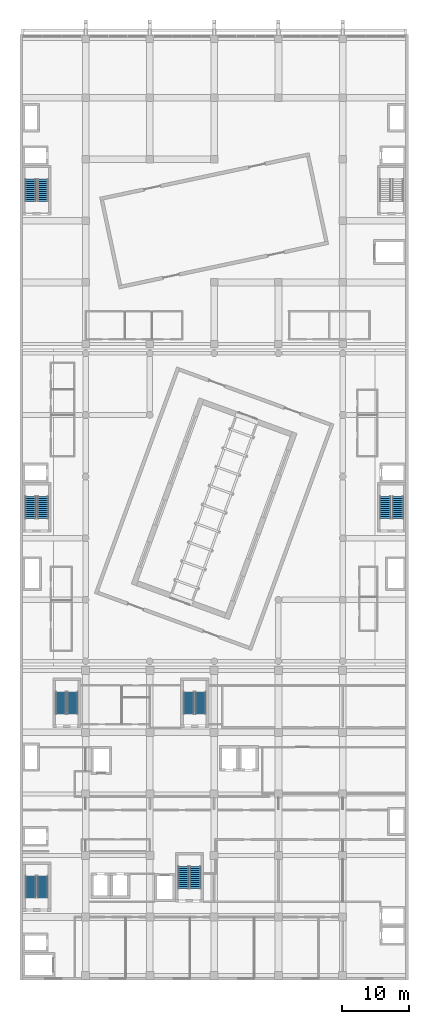
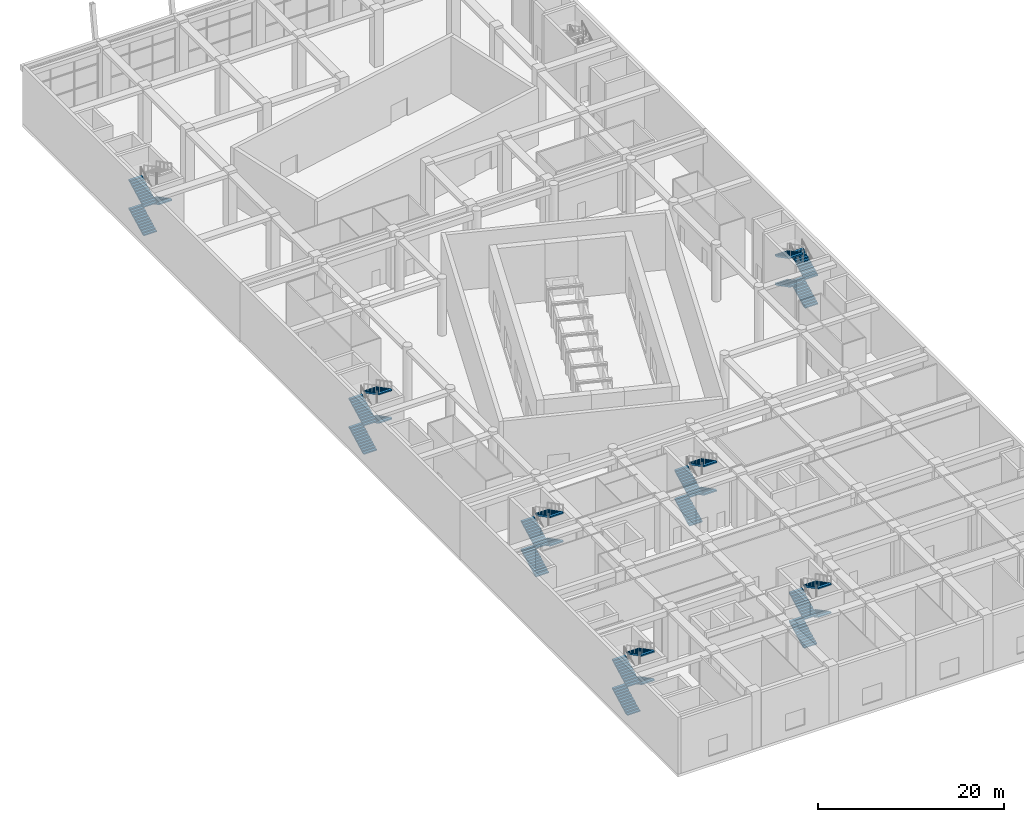
# One storey, part 20 of 36: 27 stair flights, 7 elements without a shape of their own.
"""IFC4 building model written with IfcOpenShell, lengths in metres."""

from ifc_helpers import new_model, si_unit, direction, frame, origin, place, context, subcontext, project, spatial, polyline, outline, extrude, material, type_object, element, aggregate, save


model = new_model("IFC4")

# Units and contexts
model_context = context("Model", 3, precision=1e-05, world=origin(), true_north=direction((0.0, 1.0)))
body_context = subcontext(model_context, "Body", "Model", "MODEL_VIEW")
ifc_project = project(units=[si_unit("LENGTHUNIT", "METRE"), si_unit("AREAUNIT", "SQUARE_METRE"), si_unit("VOLUMEUNIT", "CUBIC_METRE"), si_unit("PLANEANGLEUNIT", "RADIAN"), si_unit("MASSUNIT", "GRAM", prefix="KILO")], contexts=[model_context])

# Site, building, storey
site_placement = place(None, origin())
site = spatial("IfcSite", under=ifc_project, at=site_placement, CompositionType="ELEMENT")
building_placement = place(site_placement, origin())
building = spatial("IfcBuilding", under=site, at=building_placement, Name="Nzadi Deep Aquarium and Research Tower", CompositionType="ELEMENT")
storey_placement = place(building_placement, frame((0.0, 0.0, 14.199951171875)))
storey = spatial("IfcBuildingStorey", under=building, at=storey_placement, Name="L02", CompositionType="ELEMENT", Elevation=14.199951171875)

# Stair, stair flights
ifc_material_1 = material(Name="Concrete C35/45", Category="concrete")
stair_type = type_object("IfcStairType", Name="STAIR RETURN 3000", PredefinedType="NOTDEFINED", material=ifc_material_1)
stair_1_placement = place(storey_placement, origin())
stair_1 = element("IfcStair", 1, at=stair_1_placement, inside=storey, type_object=stair_type, Name="Stair ST-Z1-SW L02", PredefinedType="DOUBLE_RETURN_STAIR")
ifc_material_2 = material(Name="Concrete C35/45", Category="concrete")
stair_flight_type = type_object("IfcStairFlightType", Name="FLIGHT 1625 12 RISERS 156.2", PredefinedType="STRAIGHT", material=ifc_material_2)
stair_flight_1_placement = place(storey_placement, frame((1.41259765625, 12.070068359375, 0.0), z_axis=(0.0, 0.0, 1.0), x_axis=(0.0, 1.0, 0.0)))
stair_flight_1 = element("IfcStairFlight", 2, at=stair_flight_1_placement, type_object=stair_flight_type, Name="ST-Z1-SW flight 1", NumberOfRisers=12, NumberOfTreads=11, PredefinedType="STRAIGHT", RiserHeight=0.15625, TreadLength=0.3, context=body_context, shape_type="SweptSolid", body=[
    extrude(outline(polyline([(0.0, 0.0), (0.0, 0.15625), (0.300048828125, 0.15625), (0.300048828125, 0.3125), (0.60009765625, 0.3125), (0.60009765625, 0.46875), (0.89990234375, 0.46875), (0.89990234375, 0.625), (1.199951171875, 0.625), (1.199951171875, 0.78125), (1.5, 0.78125), (1.5, 0.9375), (1.800048828125, 0.9375), (1.800048828125, 1.09375), (2.10009765625, 1.09375), (2.10009765625, 1.25), (2.39990234375, 1.25), (2.39990234375, 1.40625), (2.699951171875, 1.40625), (2.699951171875, 1.5625), (3.0, 1.5625), (3.0, 1.71875), (3.300048828125, 1.71875), (3.300048828125, 1.875), (3.300048828125, 1.5498046875), (0.324462890625, 0.0), (0.0, 0.0)])), frame((0.0, 0.8125, 0.0), z_axis=(0.0, -1.0, 0.0), x_axis=(1.0, 0.0, 0.0)), (0.0, 0.0, 1.0), 1.625),
])
stair_flight_2_placement = place(storey_placement, frame((3.1875, 15.3701171875, 1.875), z_axis=(0.0, 0.0, 1.0), x_axis=(0.0, -1.0, 0.0)))
stair_flight_2 = element("IfcStairFlight", 3, at=stair_flight_2_placement, type_object=stair_flight_type, Name="ST-Z1-SW flight 2", NumberOfRisers=12, NumberOfTreads=11, PredefinedType="STRAIGHT", RiserHeight=0.15625, TreadLength=0.3, context=body_context, shape_type="SweptSolid", body=[
    extrude(outline(polyline([(0.0, 0.0), (0.0, 0.15625), (0.300048828125, 0.15625), (0.300048828125, 0.3125), (0.60009765625, 0.3125), (0.60009765625, 0.46875), (0.89990234375, 0.46875), (0.89990234375, 0.625), (1.199951171875, 0.625), (1.199951171875, 0.78125), (1.5, 0.78125), (1.5, 0.9375), (1.800048828125, 0.9375), (1.800048828125, 1.09375), (2.10009765625, 1.09375), (2.10009765625, 1.25), (2.39990234375, 1.25), (2.39990234375, 1.40625), (2.699951171875, 1.40625), (2.699951171875, 1.5625), (3.0, 1.5625), (3.0, 1.71875), (3.300048828125, 1.71875), (3.300048828125, 1.875), (3.300048828125, 1.5498046875), (0.324462890625, 0.0), (0.0, 0.0)])), frame((0.0, 0.8125, 0.0), z_axis=(0.0, -1.0, 0.0), x_axis=(1.0, 0.0, 0.0)), (0.0, 0.0, 1.0), 1.625),
])
stair_flight_3_placement = place(storey_placement, frame((1.41259765625, 12.070068359375, 3.75), z_axis=(0.0, 0.0, 1.0), x_axis=(0.0, 1.0, 0.0)))
stair_flight_3 = element("IfcStairFlight", 4, at=stair_flight_3_placement, type_object=stair_flight_type, Name="ST-Z1-SW flight 3", NumberOfRisers=12, NumberOfTreads=11, PredefinedType="STRAIGHT", RiserHeight=0.15625, TreadLength=0.3, context=body_context, shape_type="SweptSolid", body=[
    extrude(outline(polyline([(0.0, 0.0), (0.0, 0.15625), (0.300048828125, 0.15625), (0.300048828125, 0.3125), (0.60009765625, 0.3125), (0.60009765625, 0.46875), (0.89990234375, 0.46875), (0.89990234375, 0.625), (1.199951171875, 0.625), (1.199951171875, 0.78125), (1.5, 0.78125), (1.5, 0.9375), (1.800048828125, 0.9375), (1.800048828125, 1.09375), (2.10009765625, 1.09375), (2.10009765625, 1.25), (2.39990234375, 1.25), (2.39990234375, 1.40625), (2.699951171875, 1.40625), (2.699951171875, 1.5625), (3.0, 1.5625), (3.0, 1.71875), (3.300048828125, 1.71875), (3.300048828125, 1.875), (3.300048828125, 1.5498046875), (0.324462890625, 0.0), (0.0, 0.0)])), frame((0.0, 0.8125, 0.0), z_axis=(0.0, -1.0, 0.0), x_axis=(1.0, 0.0, 0.0)), (0.0, 0.0, 1.0), 1.625),
])
stair_flight_4_placement = place(storey_placement, frame((3.1875, 15.3701171875, 5.625), z_axis=(0.0, 0.0, 1.0), x_axis=(0.0, -1.0, 0.0)))
stair_flight_4 = element("IfcStairFlight", 5, at=stair_flight_4_placement, type_object=stair_flight_type, Name="ST-Z1-SW flight 4", NumberOfRisers=12, NumberOfTreads=11, PredefinedType="STRAIGHT", RiserHeight=0.15625, TreadLength=0.3, context=body_context, shape_type="SweptSolid", body=[
    extrude(outline(polyline([(0.0, 0.0), (0.0, 0.15625), (0.300048828125, 0.15625), (0.300048828125, 0.3125), (0.60009765625, 0.3125), (0.60009765625, 0.46875), (0.89990234375, 0.46875), (0.89990234375, 0.625), (1.199951171875, 0.625), (1.199951171875, 0.78125), (1.5, 0.78125), (1.5, 0.9375), (1.800048828125, 0.9375), (1.800048828125, 1.09375), (2.10009765625, 1.09375), (2.10009765625, 1.25), (2.39990234375, 1.25), (2.39990234375, 1.40625), (2.699951171875, 1.40625), (2.699951171875, 1.5625), (3.0, 1.5625), (3.0, 1.71875), (3.300048828125, 1.71875), (3.300048828125, 1.875), (3.300048828125, 1.5498046875), (0.324462890625, 0.0), (0.0, 0.0)])), frame((0.0, 0.8125, 0.0), z_axis=(0.0, -1.0, 0.0), x_axis=(1.0, 0.0, 0.0)), (0.0, 0.0, 1.0), 1.625),
])
aggregate(stair_1, [stair_flight_1, stair_flight_2, stair_flight_3, stair_flight_4])

stair_2_placement = place(storey_placement, origin())
stair_2 = element("IfcStair", 6, at=stair_2_placement, inside=storey, type_object=stair_type, Name="Stair ST-Z1-SE L02", PredefinedType="DOUBLE_RETURN_STAIR")
stair_flight_5_placement = place(storey_placement, frame((24.21240234375, 13.469970703125, 0.0), z_axis=(0.0, 0.0, 1.0), x_axis=(0.0, 1.0, 0.0)))
stair_flight_5 = element("IfcStairFlight", 7, at=stair_flight_5_placement, type_object=stair_flight_type, Name="ST-Z1-SE flight 1", NumberOfRisers=12, NumberOfTreads=11, PredefinedType="STRAIGHT", RiserHeight=0.15625, TreadLength=0.3, context=body_context, shape_type="SweptSolid", body=[
    extrude(outline(polyline([(0.0, 0.0), (0.0, 0.15625), (0.300048828125, 0.15625), (0.300048828125, 0.3125), (0.60009765625, 0.3125), (0.60009765625, 0.46875), (0.89990234375, 0.46875), (0.89990234375, 0.625), (1.199951171875, 0.625), (1.199951171875, 0.78125), (1.5, 0.78125), (1.5, 0.9375), (1.800048828125, 0.9375), (1.800048828125, 1.09375), (2.10009765625, 1.09375), (2.10009765625, 1.25), (2.39990234375, 1.25), (2.39990234375, 1.40625), (2.699951171875, 1.40625), (2.699951171875, 1.5625), (3.0, 1.5625), (3.0, 1.71875), (3.300048828125, 1.71875), (3.300048828125, 1.875), (3.300048828125, 1.5498046875), (0.324462890625, 0.0), (0.0, 0.0)])), frame((0.0, 0.8125, 0.0), z_axis=(0.0, -1.0, 0.0), x_axis=(1.0, 0.0, 0.0)), (0.0, 0.0, 1.0), 1.625),
])
stair_flight_6_placement = place(storey_placement, frame((25.987548828125, 16.77001953125, 1.875), z_axis=(0.0, 0.0, 1.0), x_axis=(0.0, -1.0, 0.0)))
stair_flight_6 = element("IfcStairFlight", 8, at=stair_flight_6_placement, type_object=stair_flight_type, Name="ST-Z1-SE flight 2", NumberOfRisers=12, NumberOfTreads=11, PredefinedType="STRAIGHT", RiserHeight=0.15625, TreadLength=0.3, context=body_context, shape_type="SweptSolid", body=[
    extrude(outline(polyline([(0.0, 0.0), (0.0, 0.15625), (0.300048828125, 0.15625), (0.300048828125, 0.3125), (0.60009765625, 0.3125), (0.60009765625, 0.46875), (0.89990234375, 0.46875), (0.89990234375, 0.625), (1.199951171875, 0.625), (1.199951171875, 0.78125), (1.5, 0.78125), (1.5, 0.9375), (1.800048828125, 0.9375), (1.800048828125, 1.09375), (2.10009765625, 1.09375), (2.10009765625, 1.25), (2.39990234375, 1.25), (2.39990234375, 1.40625), (2.699951171875, 1.40625), (2.699951171875, 1.5625), (3.0, 1.5625), (3.0, 1.71875), (3.300048828125, 1.71875), (3.300048828125, 1.875), (3.300048828125, 1.5498046875), (0.324462890625, 0.0), (0.0, 0.0)])), frame((0.0, 0.8125, 0.0), z_axis=(0.0, -1.0, 0.0), x_axis=(1.0, 0.0, 0.0)), (0.0, 0.0, 1.0), 1.625),
])
stair_flight_7_placement = place(storey_placement, frame((24.21240234375, 13.469970703125, 3.75), z_axis=(0.0, 0.0, 1.0), x_axis=(0.0, 1.0, 0.0)))
stair_flight_7 = element("IfcStairFlight", 9, at=stair_flight_7_placement, type_object=stair_flight_type, Name="ST-Z1-SE flight 3", NumberOfRisers=12, NumberOfTreads=11, PredefinedType="STRAIGHT", RiserHeight=0.15625, TreadLength=0.3, context=body_context, shape_type="SweptSolid", body=[
    extrude(outline(polyline([(0.0, 0.0), (0.0, 0.15625), (0.300048828125, 0.15625), (0.300048828125, 0.3125), (0.60009765625, 0.3125), (0.60009765625, 0.46875), (0.89990234375, 0.46875), (0.89990234375, 0.625), (1.199951171875, 0.625), (1.199951171875, 0.78125), (1.5, 0.78125), (1.5, 0.9375), (1.800048828125, 0.9375), (1.800048828125, 1.09375), (2.10009765625, 1.09375), (2.10009765625, 1.25), (2.39990234375, 1.25), (2.39990234375, 1.40625), (2.699951171875, 1.40625), (2.699951171875, 1.5625), (3.0, 1.5625), (3.0, 1.71875), (3.300048828125, 1.71875), (3.300048828125, 1.875), (3.300048828125, 1.5498046875), (0.324462890625, 0.0), (0.0, 0.0)])), frame((0.0, 0.8125, 0.0), z_axis=(0.0, -1.0, 0.0), x_axis=(1.0, 0.0, 0.0)), (0.0, 0.0, 1.0), 1.625),
])
stair_flight_8_placement = place(storey_placement, frame((25.987548828125, 16.77001953125, 5.625), z_axis=(0.0, 0.0, 1.0), x_axis=(0.0, -1.0, 0.0)))
stair_flight_8 = element("IfcStairFlight", 10, at=stair_flight_8_placement, type_object=stair_flight_type, Name="ST-Z1-SE flight 4", NumberOfRisers=12, NumberOfTreads=11, PredefinedType="STRAIGHT", RiserHeight=0.15625, TreadLength=0.3, context=body_context, shape_type="SweptSolid", body=[
    extrude(outline(polyline([(0.0, 0.0), (0.0, 0.15625), (0.300048828125, 0.15625), (0.300048828125, 0.3125), (0.60009765625, 0.3125), (0.60009765625, 0.46875), (0.89990234375, 0.46875), (0.89990234375, 0.625), (1.199951171875, 0.625), (1.199951171875, 0.78125), (1.5, 0.78125), (1.5, 0.9375), (1.800048828125, 0.9375), (1.800048828125, 1.09375), (2.10009765625, 1.09375), (2.10009765625, 1.25), (2.39990234375, 1.25), (2.39990234375, 1.40625), (2.699951171875, 1.40625), (2.699951171875, 1.5625), (3.0, 1.5625), (3.0, 1.71875), (3.300048828125, 1.71875), (3.300048828125, 1.875), (3.300048828125, 1.5498046875), (0.324462890625, 0.0), (0.0, 0.0)])), frame((0.0, 0.8125, 0.0), z_axis=(0.0, -1.0, 0.0), x_axis=(1.0, 0.0, 0.0)), (0.0, 0.0, 1.0), 1.625),
])
aggregate(stair_2, [stair_flight_5, stair_flight_6, stair_flight_7, stair_flight_8])

stair_3_placement = place(storey_placement, origin())
stair_3 = element("IfcStair", 11, at=stair_3_placement, inside=storey, type_object=stair_type, Name="Stair ST-Z1-NW L02", PredefinedType="DOUBLE_RETURN_STAIR")
stair_flight_9_placement = place(storey_placement, frame((5.91259765625, 39.52001953125, 0.0), z_axis=(0.0, 0.0, 1.0), x_axis=(0.0, 1.0, 0.0)))
stair_flight_9 = element("IfcStairFlight", 12, at=stair_flight_9_placement, type_object=stair_flight_type, Name="ST-Z1-NW flight 1", NumberOfRisers=12, NumberOfTreads=11, PredefinedType="STRAIGHT", RiserHeight=0.15625, TreadLength=0.3, context=body_context, shape_type="SweptSolid", body=[
    extrude(outline(polyline([(0.0, 0.0), (0.0, 0.15625), (0.300048828125, 0.15625), (0.300048828125, 0.3125), (0.60009765625, 0.3125), (0.60009765625, 0.46875), (0.89990234375, 0.46875), (0.89990234375, 0.625), (1.199951171875, 0.625), (1.199951171875, 0.78125), (1.5, 0.78125), (1.5, 0.9375), (1.800048828125, 0.9375), (1.800048828125, 1.09375), (2.10009765625, 1.09375), (2.10009765625, 1.25), (2.39990234375, 1.25), (2.39990234375, 1.40625), (2.699951171875, 1.40625), (2.699951171875, 1.5625), (3.0, 1.5625), (3.0, 1.71875), (3.300048828125, 1.71875), (3.300048828125, 1.875), (3.300048828125, 1.5498046875), (0.324462890625, 0.0), (0.0, 0.0)])), frame((0.0, 0.8125, 0.0), z_axis=(0.0, -1.0, 0.0), x_axis=(1.0, 0.0, 0.0)), (0.0, 0.0, 1.0), 1.625),
])
stair_flight_10_placement = place(storey_placement, frame((7.6875, 42.820068359375, 1.875), z_axis=(0.0, 0.0, 1.0), x_axis=(0.0, -1.0, 0.0)))
stair_flight_10 = element("IfcStairFlight", 13, at=stair_flight_10_placement, type_object=stair_flight_type, Name="ST-Z1-NW flight 2", NumberOfRisers=12, NumberOfTreads=11, PredefinedType="STRAIGHT", RiserHeight=0.15625, TreadLength=0.3, context=body_context, shape_type="SweptSolid", body=[
    extrude(outline(polyline([(0.0, 0.0), (0.0, 0.15625), (0.300048828125, 0.15625), (0.300048828125, 0.3125), (0.60009765625, 0.3125), (0.60009765625, 0.46875), (0.89990234375, 0.46875), (0.89990234375, 0.625), (1.199951171875, 0.625), (1.199951171875, 0.78125), (1.5, 0.78125), (1.5, 0.9375), (1.800048828125, 0.9375), (1.800048828125, 1.09375), (2.10009765625, 1.09375), (2.10009765625, 1.25), (2.39990234375, 1.25), (2.39990234375, 1.40625), (2.699951171875, 1.40625), (2.699951171875, 1.5625), (3.0, 1.5625), (3.0, 1.71875), (3.300048828125, 1.71875), (3.300048828125, 1.875), (3.300048828125, 1.5498046875), (0.324462890625, 0.0), (0.0, 0.0)])), frame((0.0, 0.8125, 0.0), z_axis=(0.0, -1.0, 0.0), x_axis=(1.0, 0.0, 0.0)), (0.0, 0.0, 1.0), 1.625),
])
stair_flight_11_placement = place(storey_placement, frame((5.91259765625, 39.52001953125, 3.75), z_axis=(0.0, 0.0, 1.0), x_axis=(0.0, 1.0, 0.0)))
stair_flight_11 = element("IfcStairFlight", 14, at=stair_flight_11_placement, type_object=stair_flight_type, Name="ST-Z1-NW flight 3", NumberOfRisers=12, NumberOfTreads=11, PredefinedType="STRAIGHT", RiserHeight=0.15625, TreadLength=0.3, context=body_context, shape_type="SweptSolid", body=[
    extrude(outline(polyline([(0.0, 0.0), (0.0, 0.15625), (0.300048828125, 0.15625), (0.300048828125, 0.3125), (0.60009765625, 0.3125), (0.60009765625, 0.46875), (0.89990234375, 0.46875), (0.89990234375, 0.625), (1.199951171875, 0.625), (1.199951171875, 0.78125), (1.5, 0.78125), (1.5, 0.9375), (1.800048828125, 0.9375), (1.800048828125, 1.09375), (2.10009765625, 1.09375), (2.10009765625, 1.25), (2.39990234375, 1.25), (2.39990234375, 1.40625), (2.699951171875, 1.40625), (2.699951171875, 1.5625), (3.0, 1.5625), (3.0, 1.71875), (3.300048828125, 1.71875), (3.300048828125, 1.875), (3.300048828125, 1.5498046875), (0.324462890625, 0.0), (0.0, 0.0)])), frame((0.0, 0.8125, 0.0), z_axis=(0.0, -1.0, 0.0), x_axis=(1.0, 0.0, 0.0)), (0.0, 0.0, 1.0), 1.625),
])
stair_flight_12_placement = place(storey_placement, frame((7.6875, 42.820068359375, 5.625), z_axis=(0.0, 0.0, 1.0), x_axis=(0.0, -1.0, 0.0)))
stair_flight_12 = element("IfcStairFlight", 15, at=stair_flight_12_placement, type_object=stair_flight_type, Name="ST-Z1-NW flight 4", NumberOfRisers=12, NumberOfTreads=11, PredefinedType="STRAIGHT", RiserHeight=0.15625, TreadLength=0.3, context=body_context, shape_type="SweptSolid", body=[
    extrude(outline(polyline([(0.0, 0.0), (0.0, 0.15625), (0.300048828125, 0.15625), (0.300048828125, 0.3125), (0.60009765625, 0.3125), (0.60009765625, 0.46875), (0.89990234375, 0.46875), (0.89990234375, 0.625), (1.199951171875, 0.625), (1.199951171875, 0.78125), (1.5, 0.78125), (1.5, 0.9375), (1.800048828125, 0.9375), (1.800048828125, 1.09375), (2.10009765625, 1.09375), (2.10009765625, 1.25), (2.39990234375, 1.25), (2.39990234375, 1.40625), (2.699951171875, 1.40625), (2.699951171875, 1.5625), (3.0, 1.5625), (3.0, 1.71875), (3.300048828125, 1.71875), (3.300048828125, 1.875), (3.300048828125, 1.5498046875), (0.324462890625, 0.0), (0.0, 0.0)])), frame((0.0, 0.8125, 0.0), z_axis=(0.0, -1.0, 0.0), x_axis=(1.0, 0.0, 0.0)), (0.0, 0.0, 1.0), 1.625),
])
aggregate(stair_3, [stair_flight_9, stair_flight_10, stair_flight_11, stair_flight_12])

stair_4_placement = place(storey_placement, origin())
stair_4 = element("IfcStair", 16, at=stair_4_placement, inside=storey, type_object=stair_type, Name="Stair ST-Z1-NE L02", PredefinedType="DOUBLE_RETURN_STAIR")
stair_flight_13_placement = place(storey_placement, frame((25.012451171875, 39.52001953125, 0.0), z_axis=(0.0, 0.0, 1.0), x_axis=(0.0, 1.0, 0.0)))
stair_flight_13 = element("IfcStairFlight", 17, at=stair_flight_13_placement, type_object=stair_flight_type, Name="ST-Z1-NE flight 1", NumberOfRisers=12, NumberOfTreads=11, PredefinedType="STRAIGHT", RiserHeight=0.15625, TreadLength=0.3, context=body_context, shape_type="SweptSolid", body=[
    extrude(outline(polyline([(0.0, 0.0), (0.0, 0.15625), (0.300048828125, 0.15625), (0.300048828125, 0.3125), (0.60009765625, 0.3125), (0.60009765625, 0.46875), (0.89990234375, 0.46875), (0.89990234375, 0.625), (1.199951171875, 0.625), (1.199951171875, 0.78125), (1.5, 0.78125), (1.5, 0.9375), (1.800048828125, 0.9375), (1.800048828125, 1.09375), (2.10009765625, 1.09375), (2.10009765625, 1.25), (2.39990234375, 1.25), (2.39990234375, 1.40625), (2.699951171875, 1.40625), (2.699951171875, 1.5625), (3.0, 1.5625), (3.0, 1.71875), (3.300048828125, 1.71875), (3.300048828125, 1.875), (3.300048828125, 1.5498046875), (0.324462890625, 0.0), (0.0, 0.0)])), frame((0.0, 0.8125, 0.0), z_axis=(0.0, -1.0, 0.0), x_axis=(1.0, 0.0, 0.0)), (0.0, 0.0, 1.0), 1.625),
])
stair_flight_14_placement = place(storey_placement, frame((26.78759765625, 42.820068359375, 1.875), z_axis=(0.0, 0.0, 1.0), x_axis=(0.0, -1.0, 0.0)))
stair_flight_14 = element("IfcStairFlight", 18, at=stair_flight_14_placement, type_object=stair_flight_type, Name="ST-Z1-NE flight 2", NumberOfRisers=12, NumberOfTreads=11, PredefinedType="STRAIGHT", RiserHeight=0.15625, TreadLength=0.3, context=body_context, shape_type="SweptSolid", body=[
    extrude(outline(polyline([(0.0, 0.0), (0.0, 0.15625), (0.300048828125, 0.15625), (0.300048828125, 0.3125), (0.60009765625, 0.3125), (0.60009765625, 0.46875), (0.89990234375, 0.46875), (0.89990234375, 0.625), (1.199951171875, 0.625), (1.199951171875, 0.78125), (1.5, 0.78125), (1.5, 0.9375), (1.800048828125, 0.9375), (1.800048828125, 1.09375), (2.10009765625, 1.09375), (2.10009765625, 1.25), (2.39990234375, 1.25), (2.39990234375, 1.40625), (2.699951171875, 1.40625), (2.699951171875, 1.5625), (3.0, 1.5625), (3.0, 1.71875), (3.300048828125, 1.71875), (3.300048828125, 1.875), (3.300048828125, 1.5498046875), (0.324462890625, 0.0), (0.0, 0.0)])), frame((0.0, 0.8125, 0.0), z_axis=(0.0, -1.0, 0.0), x_axis=(1.0, 0.0, 0.0)), (0.0, 0.0, 1.0), 1.625),
])
stair_flight_15_placement = place(storey_placement, frame((25.012451171875, 39.52001953125, 3.75), z_axis=(0.0, 0.0, 1.0), x_axis=(0.0, 1.0, 0.0)))
stair_flight_15 = element("IfcStairFlight", 19, at=stair_flight_15_placement, type_object=stair_flight_type, Name="ST-Z1-NE flight 3", NumberOfRisers=12, NumberOfTreads=11, PredefinedType="STRAIGHT", RiserHeight=0.15625, TreadLength=0.3, context=body_context, shape_type="SweptSolid", body=[
    extrude(outline(polyline([(0.0, 0.0), (0.0, 0.15625), (0.300048828125, 0.15625), (0.300048828125, 0.3125), (0.60009765625, 0.3125), (0.60009765625, 0.46875), (0.89990234375, 0.46875), (0.89990234375, 0.625), (1.199951171875, 0.625), (1.199951171875, 0.78125), (1.5, 0.78125), (1.5, 0.9375), (1.800048828125, 0.9375), (1.800048828125, 1.09375), (2.10009765625, 1.09375), (2.10009765625, 1.25), (2.39990234375, 1.25), (2.39990234375, 1.40625), (2.699951171875, 1.40625), (2.699951171875, 1.5625), (3.0, 1.5625), (3.0, 1.71875), (3.300048828125, 1.71875), (3.300048828125, 1.875), (3.300048828125, 1.5498046875), (0.324462890625, 0.0), (0.0, 0.0)])), frame((0.0, 0.8125, 0.0), z_axis=(0.0, -1.0, 0.0), x_axis=(1.0, 0.0, 0.0)), (0.0, 0.0, 1.0), 1.625),
])
stair_flight_16_placement = place(storey_placement, frame((26.78759765625, 42.820068359375, 5.625), z_axis=(0.0, 0.0, 1.0), x_axis=(0.0, -1.0, 0.0)))
stair_flight_16 = element("IfcStairFlight", 20, at=stair_flight_16_placement, type_object=stair_flight_type, Name="ST-Z1-NE flight 4", NumberOfRisers=12, NumberOfTreads=11, PredefinedType="STRAIGHT", RiserHeight=0.15625, TreadLength=0.3, context=body_context, shape_type="SweptSolid", body=[
    extrude(outline(polyline([(0.0, 0.0), (0.0, 0.15625), (0.300048828125, 0.15625), (0.300048828125, 0.3125), (0.60009765625, 0.3125), (0.60009765625, 0.46875), (0.89990234375, 0.46875), (0.89990234375, 0.625), (1.199951171875, 0.625), (1.199951171875, 0.78125), (1.5, 0.78125), (1.5, 0.9375), (1.800048828125, 0.9375), (1.800048828125, 1.09375), (2.10009765625, 1.09375), (2.10009765625, 1.25), (2.39990234375, 1.25), (2.39990234375, 1.40625), (2.699951171875, 1.40625), (2.699951171875, 1.5625), (3.0, 1.5625), (3.0, 1.71875), (3.300048828125, 1.71875), (3.300048828125, 1.875), (3.300048828125, 1.5498046875), (0.324462890625, 0.0), (0.0, 0.0)])), frame((0.0, 0.8125, 0.0), z_axis=(0.0, -1.0, 0.0), x_axis=(1.0, 0.0, 0.0)), (0.0, 0.0, 1.0), 1.625),
])
aggregate(stair_4, [stair_flight_13, stair_flight_14, stair_flight_15, stair_flight_16])

stair_5_placement = place(storey_placement, origin())
stair_5 = element("IfcStair", 21, at=stair_5_placement, inside=storey, type_object=stair_type, Name="Stair ST-Z2-W L02", PredefinedType="DOUBLE_RETURN_STAIR")
stair_flight_17_placement = place(storey_placement, frame((1.362548828125, 68.7099609375, 0.0), z_axis=(0.0, 0.0, 1.0), x_axis=(0.0, 1.0, 0.0)))
stair_flight_17 = element("IfcStairFlight", 22, at=stair_flight_17_placement, type_object=stair_flight_type, Name="ST-Z2-W flight 1", NumberOfRisers=12, NumberOfTreads=11, PredefinedType="STRAIGHT", RiserHeight=0.15625, TreadLength=0.3, context=body_context, shape_type="SweptSolid", body=[
    extrude(outline(polyline([(0.0, 0.0), (0.0, 0.15625), (0.300048828125, 0.15625), (0.300048828125, 0.3125), (0.60009765625, 0.3125), (0.60009765625, 0.46875), (0.89990234375, 0.46875), (0.89990234375, 0.625), (1.199951171875, 0.625), (1.199951171875, 0.78125), (1.5, 0.78125), (1.5, 0.9375), (1.800048828125, 0.9375), (1.800048828125, 1.09375), (2.10009765625, 1.09375), (2.10009765625, 1.25), (2.39990234375, 1.25), (2.39990234375, 1.40625), (2.699951171875, 1.40625), (2.699951171875, 1.5625), (3.0, 1.5625), (3.0, 1.71875), (3.300048828125, 1.71875), (3.300048828125, 1.875), (3.300048828125, 1.5498046875), (0.324462890625, 0.0), (0.0, 0.0)])), frame((0.0, 0.8125, 0.0), z_axis=(0.0, -1.0, 0.0), x_axis=(1.0, 0.0, 0.0)), (0.0, 0.0, 1.0), 1.625),
])
stair_flight_18_placement = place(storey_placement, frame((3.237548828125, 72.010009765625, 1.875), z_axis=(0.0, 0.0, 1.0), x_axis=(0.0, -1.0, 0.0)))
stair_flight_18 = element("IfcStairFlight", 23, at=stair_flight_18_placement, type_object=stair_flight_type, Name="ST-Z2-W flight 2", NumberOfRisers=12, NumberOfTreads=11, PredefinedType="STRAIGHT", RiserHeight=0.15625, TreadLength=0.3, context=body_context, shape_type="SweptSolid", body=[
    extrude(outline(polyline([(0.0, 0.0), (0.0, 0.15625), (0.300048828125, 0.15625), (0.300048828125, 0.3125), (0.60009765625, 0.3125), (0.60009765625, 0.46875), (0.89990234375, 0.46875), (0.89990234375, 0.625), (1.199951171875, 0.625), (1.199951171875, 0.78125), (1.5, 0.78125), (1.5, 0.9375), (1.800048828125, 0.9375), (1.800048828125, 1.09375), (2.10009765625, 1.09375), (2.10009765625, 1.25), (2.39990234375, 1.25), (2.39990234375, 1.40625), (2.699951171875, 1.40625), (2.699951171875, 1.5625), (3.0, 1.5625), (3.0, 1.71875), (3.300048828125, 1.71875), (3.300048828125, 1.875), (3.300048828125, 1.5498046875), (0.324462890625, 0.0), (0.0, 0.0)])), frame((0.0, 0.8125, 0.0), z_axis=(0.0, -1.0, 0.0), x_axis=(1.0, 0.0, 0.0)), (0.0, 0.0, 1.0), 1.625),
])
stair_flight_19_placement = place(storey_placement, frame((1.362548828125, 68.7099609375, 3.75), z_axis=(0.0, 0.0, 1.0), x_axis=(0.0, 1.0, 0.0)))
stair_flight_19 = element("IfcStairFlight", 24, at=stair_flight_19_placement, type_object=stair_flight_type, Name="ST-Z2-W flight 3", NumberOfRisers=12, NumberOfTreads=11, PredefinedType="STRAIGHT", RiserHeight=0.15625, TreadLength=0.3, context=body_context, shape_type="SweptSolid", body=[
    extrude(outline(polyline([(0.0, 0.0), (0.0, 0.15625), (0.300048828125, 0.15625), (0.300048828125, 0.3125), (0.60009765625, 0.3125), (0.60009765625, 0.46875), (0.89990234375, 0.46875), (0.89990234375, 0.625), (1.199951171875, 0.625), (1.199951171875, 0.78125), (1.5, 0.78125), (1.5, 0.9375), (1.800048828125, 0.9375), (1.800048828125, 1.09375), (2.10009765625, 1.09375), (2.10009765625, 1.25), (2.39990234375, 1.25), (2.39990234375, 1.40625), (2.699951171875, 1.40625), (2.699951171875, 1.5625), (3.0, 1.5625), (3.0, 1.71875), (3.300048828125, 1.71875), (3.300048828125, 1.875), (3.300048828125, 1.5498046875), (0.324462890625, 0.0), (0.0, 0.0)])), frame((0.0, 0.8125, 0.0), z_axis=(0.0, -1.0, 0.0), x_axis=(1.0, 0.0, 0.0)), (0.0, 0.0, 1.0), 1.625),
])
stair_flight_20_placement = place(storey_placement, frame((3.237548828125, 72.010009765625, 5.625), z_axis=(0.0, 0.0, 1.0), x_axis=(0.0, -1.0, 0.0)))
stair_flight_20 = element("IfcStairFlight", 25, at=stair_flight_20_placement, type_object=stair_flight_type, Name="ST-Z2-W flight 4", NumberOfRisers=12, NumberOfTreads=11, PredefinedType="STRAIGHT", RiserHeight=0.15625, TreadLength=0.3, context=body_context, shape_type="SweptSolid", body=[
    extrude(outline(polyline([(0.0, 0.0), (0.0, 0.15625), (0.300048828125, 0.15625), (0.300048828125, 0.3125), (0.60009765625, 0.3125), (0.60009765625, 0.46875), (0.89990234375, 0.46875), (0.89990234375, 0.625), (1.199951171875, 0.625), (1.199951171875, 0.78125), (1.5, 0.78125), (1.5, 0.9375), (1.800048828125, 0.9375), (1.800048828125, 1.09375), (2.10009765625, 1.09375), (2.10009765625, 1.25), (2.39990234375, 1.25), (2.39990234375, 1.40625), (2.699951171875, 1.40625), (2.699951171875, 1.5625), (3.0, 1.5625), (3.0, 1.71875), (3.300048828125, 1.71875), (3.300048828125, 1.875), (3.300048828125, 1.5498046875), (0.324462890625, 0.0), (0.0, 0.0)])), frame((0.0, 0.8125, 0.0), z_axis=(0.0, -1.0, 0.0), x_axis=(1.0, 0.0, 0.0)), (0.0, 0.0, 1.0), 1.625),
])
aggregate(stair_5, [stair_flight_17, stair_flight_18, stair_flight_19, stair_flight_20])

stair_6_placement = place(storey_placement, origin())
stair_6 = element("IfcStair", 26, at=stair_6_placement, inside=storey, type_object=stair_type, Name="Stair ST-Z2-E L02", PredefinedType="DOUBLE_RETURN_STAIR")
stair_flight_21_placement = place(storey_placement, frame((56.237548828125, 68.7099609375, 0.0), z_axis=(0.0, 0.0, 1.0), x_axis=(0.0, 1.0, 0.0)))
stair_flight_21 = element("IfcStairFlight", 27, at=stair_flight_21_placement, type_object=stair_flight_type, Name="ST-Z2-E flight 1", NumberOfRisers=12, NumberOfTreads=11, PredefinedType="STRAIGHT", RiserHeight=0.15625, TreadLength=0.3, context=body_context, shape_type="SweptSolid", body=[
    extrude(outline(polyline([(0.0, 0.0), (0.0, 0.15625), (0.300048828125, 0.15625), (0.300048828125, 0.3125), (0.60009765625, 0.3125), (0.60009765625, 0.46875), (0.89990234375, 0.46875), (0.89990234375, 0.625), (1.199951171875, 0.625), (1.199951171875, 0.78125), (1.5, 0.78125), (1.5, 0.9375), (1.800048828125, 0.9375), (1.800048828125, 1.09375), (2.10009765625, 1.09375), (2.10009765625, 1.25), (2.39990234375, 1.25), (2.39990234375, 1.40625), (2.699951171875, 1.40625), (2.699951171875, 1.5625), (3.0, 1.5625), (3.0, 1.71875), (3.300048828125, 1.71875), (3.300048828125, 1.875), (3.300048828125, 1.5498046875), (0.324462890625, 0.0), (0.0, 0.0)])), frame((0.0, 0.8125, 0.0), z_axis=(0.0, -1.0, 0.0), x_axis=(1.0, 0.0, 0.0)), (0.0, 0.0, 1.0), 1.625),
])
stair_flight_22_placement = place(storey_placement, frame((54.362548828125, 72.010009765625, 1.875), z_axis=(0.0, 0.0, 1.0), x_axis=(0.0, -1.0, 0.0)))
stair_flight_22 = element("IfcStairFlight", 28, at=stair_flight_22_placement, type_object=stair_flight_type, Name="ST-Z2-E flight 2", NumberOfRisers=12, NumberOfTreads=11, PredefinedType="STRAIGHT", RiserHeight=0.15625, TreadLength=0.3, context=body_context, shape_type="SweptSolid", body=[
    extrude(outline(polyline([(0.0, 0.0), (0.0, 0.15625), (0.300048828125, 0.15625), (0.300048828125, 0.3125), (0.60009765625, 0.3125), (0.60009765625, 0.46875), (0.89990234375, 0.46875), (0.89990234375, 0.625), (1.199951171875, 0.625), (1.199951171875, 0.78125), (1.5, 0.78125), (1.5, 0.9375), (1.800048828125, 0.9375), (1.800048828125, 1.09375), (2.10009765625, 1.09375), (2.10009765625, 1.25), (2.39990234375, 1.25), (2.39990234375, 1.40625), (2.699951171875, 1.40625), (2.699951171875, 1.5625), (3.0, 1.5625), (3.0, 1.71875), (3.300048828125, 1.71875), (3.300048828125, 1.875), (3.300048828125, 1.5498046875), (0.324462890625, 0.0), (0.0, 0.0)])), frame((0.0, 0.8125, 0.0), z_axis=(0.0, -1.0, 0.0), x_axis=(1.0, 0.0, 0.0)), (0.0, 0.0, 1.0), 1.625),
])
stair_flight_23_placement = place(storey_placement, frame((56.237548828125, 68.7099609375, 3.75), z_axis=(0.0, 0.0, 1.0), x_axis=(0.0, 1.0, 0.0)))
stair_flight_23 = element("IfcStairFlight", 29, at=stair_flight_23_placement, type_object=stair_flight_type, Name="ST-Z2-E flight 3", NumberOfRisers=12, NumberOfTreads=11, PredefinedType="STRAIGHT", RiserHeight=0.15625, TreadLength=0.3, context=body_context, shape_type="SweptSolid", body=[
    extrude(outline(polyline([(0.0, 0.0), (0.0, 0.15625), (0.300048828125, 0.15625), (0.300048828125, 0.3125), (0.60009765625, 0.3125), (0.60009765625, 0.46875), (0.89990234375, 0.46875), (0.89990234375, 0.625), (1.199951171875, 0.625), (1.199951171875, 0.78125), (1.5, 0.78125), (1.5, 0.9375), (1.800048828125, 0.9375), (1.800048828125, 1.09375), (2.10009765625, 1.09375), (2.10009765625, 1.25), (2.39990234375, 1.25), (2.39990234375, 1.40625), (2.699951171875, 1.40625), (2.699951171875, 1.5625), (3.0, 1.5625), (3.0, 1.71875), (3.300048828125, 1.71875), (3.300048828125, 1.875), (3.300048828125, 1.5498046875), (0.324462890625, 0.0), (0.0, 0.0)])), frame((0.0, 0.8125, 0.0), z_axis=(0.0, -1.0, 0.0), x_axis=(1.0, 0.0, 0.0)), (0.0, 0.0, 1.0), 1.625),
])
stair_flight_24_placement = place(storey_placement, frame((54.362548828125, 72.010009765625, 5.625), z_axis=(0.0, 0.0, 1.0), x_axis=(0.0, -1.0, 0.0)))
stair_flight_24 = element("IfcStairFlight", 30, at=stair_flight_24_placement, type_object=stair_flight_type, Name="ST-Z2-E flight 4", NumberOfRisers=12, NumberOfTreads=11, PredefinedType="STRAIGHT", RiserHeight=0.15625, TreadLength=0.3, context=body_context, shape_type="SweptSolid", body=[
    extrude(outline(polyline([(0.0, 0.0), (0.0, 0.15625), (0.300048828125, 0.15625), (0.300048828125, 0.3125), (0.60009765625, 0.3125), (0.60009765625, 0.46875), (0.89990234375, 0.46875), (0.89990234375, 0.625), (1.199951171875, 0.625), (1.199951171875, 0.78125), (1.5, 0.78125), (1.5, 0.9375), (1.800048828125, 0.9375), (1.800048828125, 1.09375), (2.10009765625, 1.09375), (2.10009765625, 1.25), (2.39990234375, 1.25), (2.39990234375, 1.40625), (2.699951171875, 1.40625), (2.699951171875, 1.5625), (3.0, 1.5625), (3.0, 1.71875), (3.300048828125, 1.71875), (3.300048828125, 1.875), (3.300048828125, 1.5498046875), (0.324462890625, 0.0), (0.0, 0.0)])), frame((0.0, 0.8125, 0.0), z_axis=(0.0, -1.0, 0.0), x_axis=(1.0, 0.0, 0.0)), (0.0, 0.0, 1.0), 1.625),
])
aggregate(stair_6, [stair_flight_21, stair_flight_22, stair_flight_23, stair_flight_24])

stair_7_placement = place(storey_placement, origin())
stair_7 = element("IfcStair", 31, at=stair_7_placement, inside=storey, type_object=stair_type, Name="Stair ST-Z3-W L02", PredefinedType="DOUBLE_RETURN_STAIR")
stair_flight_25_placement = place(storey_placement, frame((1.362548828125, 116.110107421875, 0.0), z_axis=(0.0, 0.0, 1.0), x_axis=(0.0, 1.0, 0.0)))
stair_flight_25 = element("IfcStairFlight", 32, at=stair_flight_25_placement, type_object=stair_flight_type, Name="ST-Z3-W flight 1", NumberOfRisers=12, NumberOfTreads=11, PredefinedType="STRAIGHT", RiserHeight=0.15625, TreadLength=0.3, context=body_context, shape_type="SweptSolid", body=[
    extrude(outline(polyline([(0.0, 0.0), (0.0, 0.15625), (0.300048828125, 0.15625), (0.300048828125, 0.3125), (0.60009765625, 0.3125), (0.60009765625, 0.46875), (0.89990234375, 0.46875), (0.89990234375, 0.625), (1.199951171875, 0.625), (1.199951171875, 0.78125), (1.5, 0.78125), (1.5, 0.9375), (1.800048828125, 0.9375), (1.800048828125, 1.09375), (2.10009765625, 1.09375), (2.10009765625, 1.25), (2.39990234375, 1.25), (2.39990234375, 1.40625), (2.699951171875, 1.40625), (2.699951171875, 1.5625), (3.0, 1.5625), (3.0, 1.71875), (3.300048828125, 1.71875), (3.300048828125, 1.875), (3.300048828125, 1.5498046875), (0.324462890625, 0.0), (0.0, 0.0)])), frame((0.0, 0.8125, 0.0), z_axis=(0.0, -1.0, 0.0), x_axis=(1.0, 0.0, 0.0)), (0.0, 0.0, 1.0), 1.625),
])
stair_flight_26_placement = place(storey_placement, frame((3.237548828125, 119.409912109375, 1.875), z_axis=(0.0, 0.0, 1.0), x_axis=(0.0, -1.0, 0.0)))
stair_flight_26 = element("IfcStairFlight", 33, at=stair_flight_26_placement, type_object=stair_flight_type, Name="ST-Z3-W flight 2", NumberOfRisers=12, NumberOfTreads=11, PredefinedType="STRAIGHT", RiserHeight=0.15625, TreadLength=0.3, context=body_context, shape_type="SweptSolid", body=[
    extrude(outline(polyline([(0.0, 0.0), (0.0, 0.15625), (0.300048828125, 0.15625), (0.300048828125, 0.3125), (0.60009765625, 0.3125), (0.60009765625, 0.46875), (0.89990234375, 0.46875), (0.89990234375, 0.625), (1.199951171875, 0.625), (1.199951171875, 0.78125), (1.5, 0.78125), (1.5, 0.9375), (1.800048828125, 0.9375), (1.800048828125, 1.09375), (2.10009765625, 1.09375), (2.10009765625, 1.25), (2.39990234375, 1.25), (2.39990234375, 1.40625), (2.699951171875, 1.40625), (2.699951171875, 1.5625), (3.0, 1.5625), (3.0, 1.71875), (3.300048828125, 1.71875), (3.300048828125, 1.875), (3.300048828125, 1.5498046875), (0.324462890625, 0.0), (0.0, 0.0)])), frame((0.0, 0.8125, 0.0), z_axis=(0.0, -1.0, 0.0), x_axis=(1.0, 0.0, 0.0)), (0.0, 0.0, 1.0), 1.625),
])
stair_flight_27_placement = place(storey_placement, frame((1.362548828125, 116.110107421875, 3.75), z_axis=(0.0, 0.0, 1.0), x_axis=(0.0, 1.0, 0.0)))
stair_flight_27 = element("IfcStairFlight", 34, at=stair_flight_27_placement, type_object=stair_flight_type, Name="ST-Z3-W flight 3", NumberOfRisers=12, NumberOfTreads=11, PredefinedType="STRAIGHT", RiserHeight=0.15625, TreadLength=0.3, context=body_context, shape_type="SweptSolid", body=[
    extrude(outline(polyline([(0.0, 0.0), (0.0, 0.15625), (0.300048828125, 0.15625), (0.300048828125, 0.3125), (0.60009765625, 0.3125), (0.60009765625, 0.46875), (0.89990234375, 0.46875), (0.89990234375, 0.625), (1.199951171875, 0.625), (1.199951171875, 0.78125), (1.5, 0.78125), (1.5, 0.9375), (1.800048828125, 0.9375), (1.800048828125, 1.09375), (2.10009765625, 1.09375), (2.10009765625, 1.25), (2.39990234375, 1.25), (2.39990234375, 1.40625), (2.699951171875, 1.40625), (2.699951171875, 1.5625), (3.0, 1.5625), (3.0, 1.71875), (3.300048828125, 1.71875), (3.300048828125, 1.875), (3.300048828125, 1.5498046875), (0.324462890625, 0.0), (0.0, 0.0)])), frame((0.0, 0.8125, 0.0), z_axis=(0.0, -1.0, 0.0), x_axis=(1.0, 0.0, 0.0)), (0.0, 0.0, 1.0), 1.625),
])
aggregate(stair_7, [stair_flight_25, stair_flight_26, stair_flight_27])

save(model, "model.ifc")
